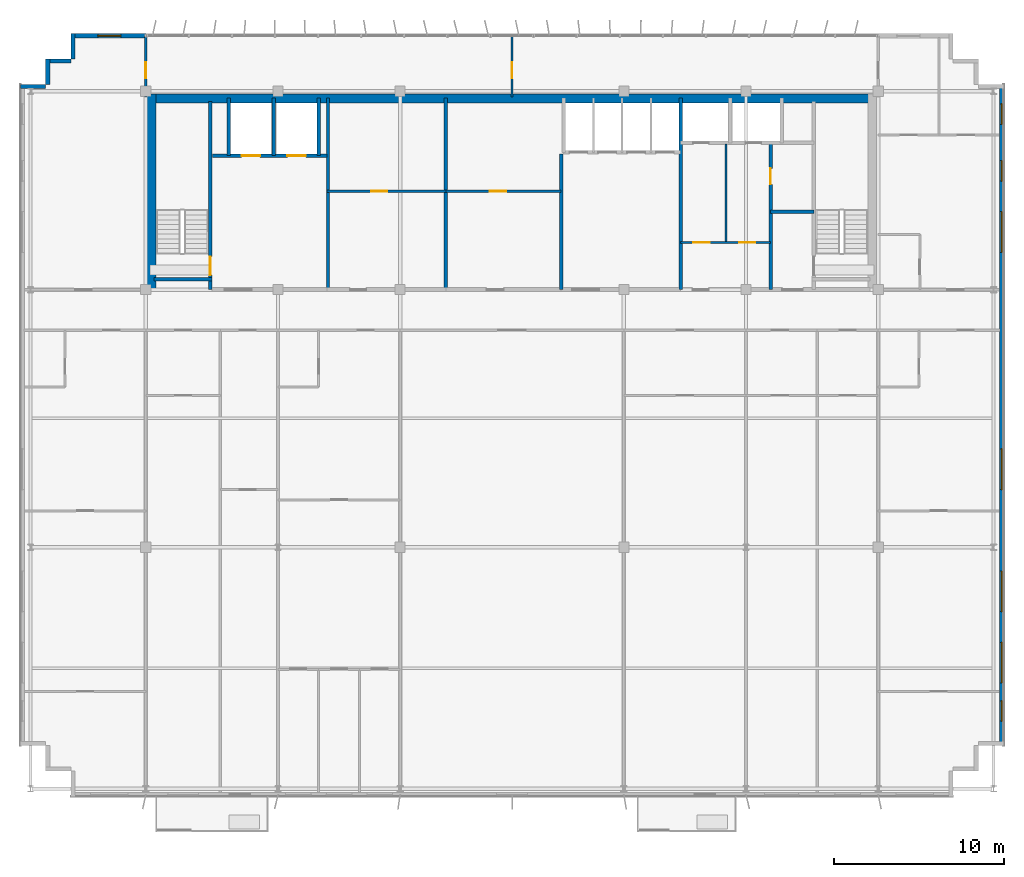
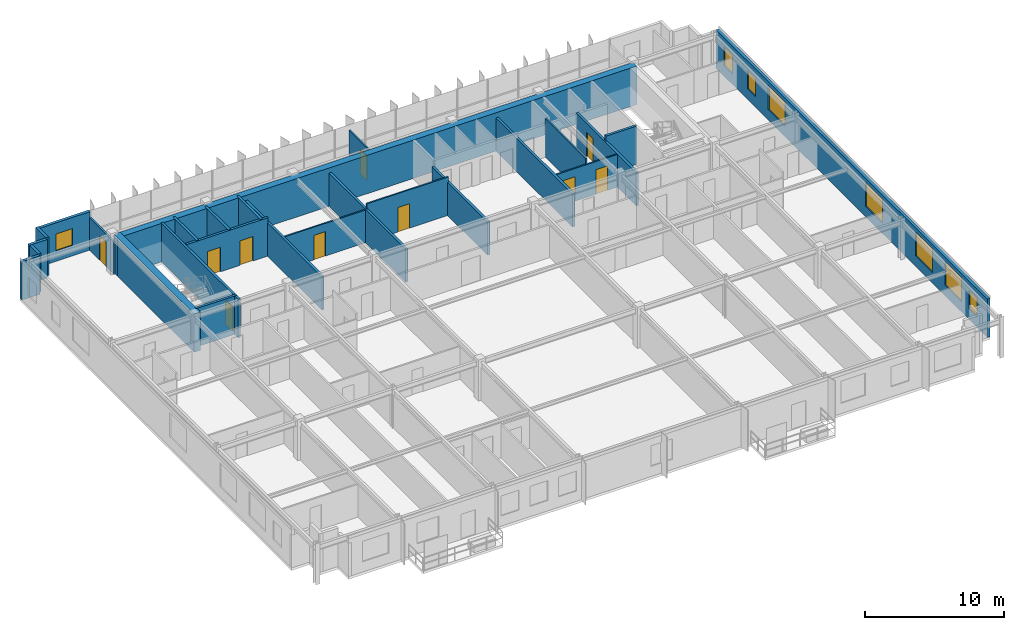
# One storey, part 19 of 22: 26 walls, 10 doors, 8 windows, 18 openings.
"""IFC4 building model written with IfcOpenShell, lengths in metres."""

from ifc_helpers import new_model, si_unit, direction, frame, frame_2d, origin, place, context, subcontext, project, spatial, rectangle, extrude, source, transform, mapped, material, layer, layer_set, type_object, element, fill, save


model = new_model("IFC4")

# Units and contexts
model_context = context("Model", 3, precision=1e-05, world=origin(), true_north=direction((0.0, 1.0)))
body_context = subcontext(model_context, "Body", "Model", "MODEL_VIEW")
ifc_project = project(units=[si_unit("LENGTHUNIT", "METRE"), si_unit("AREAUNIT", "SQUARE_METRE"), si_unit("VOLUMEUNIT", "CUBIC_METRE"), si_unit("PLANEANGLEUNIT", "RADIAN"), si_unit("MASSUNIT", "GRAM", prefix="KILO")], contexts=[model_context])

# Site, building, storey
site_placement = place(None, origin())
site = spatial("IfcSite", under=ifc_project, at=site_placement, CompositionType="ELEMENT")
building_placement = place(site_placement, origin())
building = spatial("IfcBuilding", under=site, at=building_placement, Name="Trelvane Seafront Commons", CompositionType="ELEMENT")
storey_placement = place(building_placement, frame((0.0, 0.0, 273.89990234375)))
storey = spatial("IfcBuildingStorey", under=building, at=storey_placement, Name="L71", CompositionType="ELEMENT", Elevation=273.89990234375)

# Wall, opening, window
ifc_material_1 = material(Name="Precast concrete C40/50", Category="concrete")
ifc_layer_1 = layer(ifc_material_1, 0.239990234375, Name="ARCH-WALL-EXT240")
ifc_layer_set_1 = layer_set([ifc_layer_1], Name="Precast concrete C40/50")
wall_type_1 = type_object("IfcWallType", Name="ARCH-WALL-EXT240", PredefinedType="SOLIDWALL", material=ifc_layer_set_1)
wall_1_placement = place(storey_placement, frame((11.300048828125, 48.3701171875, 0.0), z_axis=(0.0, 0.0, 1.0), x_axis=(1.0, 0.0, 0.0)))
wall_1 = element("IfcWall", 1, at=wall_1_placement, inside=storey, type_object=wall_type_1, Name="EW-L71-NW-1424", PredefinedType="SOLIDWALL", context=body_context, shape_type="SweptSolid", body=[
    extrude(rectangle(XDim=4.300048828125, YDim=0.239990234375, at=frame_2d((2.14990234375, 0.0))), origin(), (0.0, 0.0, 1.0), 3.3701171875),
])
opening_1_placement = place(wall_1_placement, frame((1.47509765625, 0.0, 0.89990234375)))
opening_1 = element("IfcOpeningElement", 2, at=opening_1_placement, cuts=wall_1, Name="Opening W09", PredefinedType="OPENING", context=body_context, shape_type="SweptSolid", body=[
    extrude(rectangle(XDim=1.35009765625, YDim=1.5, at=frame_2d((0.675048828125, 0.75))), frame((0.0, 0.1298828125, 0.0), z_axis=(0.0, -1.0, 0.0), x_axis=(1.0, 0.0, 0.0)), (0.0, 0.0, 1.0), 0.260009765625),
])
ifc_material_2 = material(Name="Low-E coastal double glazing", Category="glass")
window_type_1 = type_object("IfcWindowType", Name="ARCH-WIN-W09", PartitioningType="SINGLE_PANEL", PredefinedType="WINDOW", material=ifc_material_2)
shared_shape_1 = source(origin(), body_context, "Body", "SweptSolid", [
    extrude(rectangle(XDim=1.35009765625, YDim=1.5, at=frame_2d((0.675048828125, 0.75))), frame((0.0, 0.030029296875, 0.0), z_axis=(0.0, -1.0, 0.0), x_axis=(1.0, 0.0, 0.0)), (0.0, 0.0, 1.0), 0.06005859375),
])
window_1_placement = place(opening_1_placement, origin())
window_1 = element("IfcWindow", 3, at=window_1_placement, inside=storey, type_object=window_type_1, Name="WIN-L71-01697", OverallHeight=1.5, OverallWidth=1.35009765625, PartitioningType="SINGLE_PANEL", PredefinedType="WINDOW", context=body_context, shape_type="MappedRepresentation", body=[
    mapped(shared_shape_1, transform((0.0, 0.0, 0.0), x_axis=(1.0, 0.0, 0.0), y_axis=(0.0, 1.0, 0.0), z_axis=(0.0, 0.0, 1.0), scale=1.0)),
])
fill(opening_1, window_1)

# Walls
for number, where, z_axis, x_axis, name in (
    (4, (8.199951171875, 45.3798828125, 0.0), (0.0, 0.0, 1.0), (1.0, 0.0, 0.0), "EW-L71-01430"),
    (5, (9.820068359375, 45.5, 0.0), (0.0, 0.0, 1.0), (0.0, 1.0, 0.0), "EW-L71-01431"),
    (6, (9.699951171875, 46.8798828125, 0.0), (0.0, 0.0, 1.0), (1.0, 0.0, 0.0), "EW-L71-01432"),
    (7, (11.320068359375, 47.0, 0.0), (0.0, 0.0, 1.0), (0.0, 1.0, 0.0), "EW-L71-01433"),
):
    element("IfcWall", number, at=place(storey_placement, frame(where, z_axis=z_axis, x_axis=x_axis)), inside=storey, type_object=wall_type_1, Name=name, PredefinedType="SOLIDWALL", context=body_context, shape_type="SweptSolid", body=[
        extrude(rectangle(XDim=1.5, YDim=0.239990234375, at=frame_2d((0.75, 0.0))), origin(), (0.0, 0.0, 1.0), 3.3701171875),
    ])

# Wall, openings, windows
wall_2_placement = place(storey_placement, frame((66.080078125, 45.5, 0.0), z_axis=(0.0, 0.0, 1.0), x_axis=(0.0, -1.0, 0.0)))
wall_2 = element("IfcWall", 8, at=wall_2_placement, inside=storey, type_object=wall_type_1, Name="EW-L71-01438", PredefinedType="SOLIDWALL", context=body_context, shape_type="SweptSolid", body=[
    extrude(rectangle(XDim=39.0, YDim=0.239990234375, at=frame_2d((19.5, 0.0))), origin(), (0.0, 0.0, 1.0), 3.3701171875),
])
opening_2_placement = place(wall_2_placement, frame((36.35009765625, 0.0, 0.919921875)))
opening_2 = element("IfcOpeningElement", 9, at=opening_2_placement, cuts=wall_2, Name="Opening W05", PredefinedType="OPENING", context=body_context, shape_type="SweptSolid", body=[
    extrude(rectangle(XDim=1.199951171875, YDim=1.64990234375, at=frame_2d((0.60009765625, 0.824951171875))), frame((0.0, 0.1298828125, 0.0), z_axis=(0.0, -1.0, 0.0), x_axis=(1.0, 0.0, 0.0)), (0.0, 0.0, 1.0), 0.260009765625),
])
opening_3_placement = place(wall_2_placement, frame((32.89990234375, 0.0, 0.919921875)))
opening_3 = element("IfcOpeningElement", 10, at=opening_3_placement, cuts=wall_2, Name="Opening W08", PredefinedType="OPENING", context=body_context, shape_type="SweptSolid", body=[
    extrude(rectangle(XDim=2.39990234375, YDim=2.10009765625, at=frame_2d((1.199951171875, 1.050048828125))), frame((0.0, 0.1298828125, 0.0), z_axis=(0.0, -1.0, 0.0), x_axis=(1.0, 0.0, 0.0)), (0.0, 0.0, 1.0), 0.260009765625),
])
opening_4_placement = place(wall_2_placement, frame((28.699951171875, 0.0, 0.919921875)))
opening_4 = element("IfcOpeningElement", 11, at=opening_4_placement, cuts=wall_2, Name="Opening W08", PredefinedType="OPENING", context=body_context, shape_type="SweptSolid", body=[
    extrude(rectangle(XDim=2.39990234375, YDim=2.10009765625, at=frame_2d((1.199951171875, 1.050048828125))), frame((0.0, 0.1298828125, 0.0), z_axis=(0.0, -1.0, 0.0), x_axis=(1.0, 0.0, 0.0)), (0.0, 0.0, 1.0), 0.260009765625),
])
opening_5_placement = place(wall_2_placement, frame((21.5, 0.0, 0.919921875)))
opening_5 = element("IfcOpeningElement", 12, at=opening_5_placement, cuts=wall_2, Name="Opening W08", PredefinedType="OPENING", context=body_context, shape_type="SweptSolid", body=[
    extrude(rectangle(XDim=2.39990234375, YDim=2.10009765625, at=frame_2d((1.199951171875, 1.050048828125))), frame((0.0, 0.1298828125, 0.0), z_axis=(0.0, -1.0, 0.0), x_axis=(1.0, 0.0, 0.0)), (0.0, 0.0, 1.0), 0.260009765625),
])
opening_6_placement = place(wall_2_placement, frame((7.5, 0.0, 0.919921875)))
opening_6 = element("IfcOpeningElement", 13, at=opening_6_placement, cuts=wall_2, Name="Opening W08", PredefinedType="OPENING", context=body_context, shape_type="SweptSolid", body=[
    extrude(rectangle(XDim=2.39990234375, YDim=2.10009765625, at=frame_2d((1.199951171875, 1.050048828125))), frame((0.0, 0.1298828125, 0.0), z_axis=(0.0, -1.0, 0.0), x_axis=(1.0, 0.0, 0.0)), (0.0, 0.0, 1.0), 0.260009765625),
])
opening_7_placement = place(wall_2_placement, frame((4.5, 0.0, 0.919921875)))
opening_7 = element("IfcOpeningElement", 14, at=opening_7_placement, cuts=wall_2, Name="Opening W05", PredefinedType="OPENING", context=body_context, shape_type="SweptSolid", body=[
    extrude(rectangle(XDim=1.199951171875, YDim=1.64990234375, at=frame_2d((0.60009765625, 0.824951171875))), frame((0.0, 0.1298828125, 0.0), z_axis=(0.0, -1.0, 0.0), x_axis=(1.0, 0.0, 0.0)), (0.0, 0.0, 1.0), 0.260009765625),
])
opening_8_placement = place(wall_2_placement, frame((1.14990234375, 0.0, 0.919921875)))
opening_8 = element("IfcOpeningElement", 15, at=opening_8_placement, cuts=wall_2, Name="Opening W05", PredefinedType="OPENING", context=body_context, shape_type="SweptSolid", body=[
    extrude(rectangle(XDim=1.199951171875, YDim=1.64990234375, at=frame_2d((0.60009765625, 0.824951171875))), frame((0.0, 0.1298828125, 0.0), z_axis=(0.0, -1.0, 0.0), x_axis=(1.0, 0.0, 0.0)), (0.0, 0.0, 1.0), 0.260009765625),
])
window_type_2 = type_object("IfcWindowType", Name="ARCH-WIN-W08", PartitioningType="SINGLE_PANEL", PredefinedType="WINDOW", material=ifc_material_2)
shared_shape_2 = source(origin(), body_context, "Body", "SweptSolid", [
    extrude(rectangle(XDim=2.39990234375, YDim=2.10009765625, at=frame_2d((1.199951171875, 1.050048828125))), frame((0.0, 0.030029296875, 0.0), z_axis=(0.0, -1.0, 0.0), x_axis=(1.0, 0.0, 0.0)), (0.0, 0.0, 1.0), 0.06005859375),
])
window_2_placement = place(opening_3_placement, origin())
window_2 = element("IfcWindow", 16, at=window_2_placement, inside=storey, type_object=window_type_2, Name="WIN-L71-EW-01707", OverallHeight=2.10009765625, OverallWidth=2.39990234375, PartitioningType="SINGLE_PANEL", PredefinedType="WINDOW", context=body_context, shape_type="MappedRepresentation", body=[
    mapped(shared_shape_2, transform((0.0, 0.0, 0.0), x_axis=(1.0, 0.0, 0.0), y_axis=(0.0, 1.0, 0.0), z_axis=(0.0, 0.0, 1.0), scale=1.0)),
])
fill(opening_3, window_2)
window_3_placement = place(opening_4_placement, origin())
window_3 = element("IfcWindow", 17, at=window_3_placement, inside=storey, type_object=window_type_2, Name="WIN-L71-EW-01708", OverallHeight=2.10009765625, OverallWidth=2.39990234375, PartitioningType="SINGLE_PANEL", PredefinedType="WINDOW", context=body_context, shape_type="MappedRepresentation", body=[
    mapped(shared_shape_2, transform((0.0, 0.0, 0.0), x_axis=(1.0, 0.0, 0.0), y_axis=(0.0, 1.0, 0.0), z_axis=(0.0, 0.0, 1.0), scale=1.0)),
])
fill(opening_4, window_3)
window_4_placement = place(opening_5_placement, origin())
window_4 = element("IfcWindow", 18, at=window_4_placement, inside=storey, type_object=window_type_2, Name="WIN-L71-EW-01709", OverallHeight=2.10009765625, OverallWidth=2.39990234375, PartitioningType="SINGLE_PANEL", PredefinedType="WINDOW", context=body_context, shape_type="MappedRepresentation", body=[
    mapped(shared_shape_2, transform((0.0, 0.0, 0.0), x_axis=(1.0, 0.0, 0.0), y_axis=(0.0, 1.0, 0.0), z_axis=(0.0, 0.0, 1.0), scale=1.0)),
])
fill(opening_5, window_4)
window_5_placement = place(opening_6_placement, origin())
window_5 = element("IfcWindow", 19, at=window_5_placement, inside=storey, type_object=window_type_2, Name="WIN-L71-EW-01710", OverallHeight=2.10009765625, OverallWidth=2.39990234375, PartitioningType="SINGLE_PANEL", PredefinedType="WINDOW", context=body_context, shape_type="MappedRepresentation", body=[
    mapped(shared_shape_2, transform((0.0, 0.0, 0.0), x_axis=(1.0, 0.0, 0.0), y_axis=(0.0, 1.0, 0.0), z_axis=(0.0, 0.0, 1.0), scale=1.0)),
])
fill(opening_6, window_5)
window_type_3 = type_object("IfcWindowType", Name="ARCH-WIN-W05", PartitioningType="SINGLE_PANEL", PredefinedType="WINDOW", material=ifc_material_2)
shared_shape_3 = source(origin(), body_context, "Body", "SweptSolid", [
    extrude(rectangle(XDim=1.199951171875, YDim=1.64990234375, at=frame_2d((0.60009765625, 0.824951171875))), frame((0.0, 0.030029296875, 0.0), z_axis=(0.0, -1.0, 0.0), x_axis=(1.0, 0.0, 0.0)), (0.0, 0.0, 1.0), 0.06005859375),
])
window_6_placement = place(opening_2_placement, origin())
window_6 = element("IfcWindow", 20, at=window_6_placement, inside=storey, type_object=window_type_3, Name="WIN-L71-EW-01706", OverallHeight=1.64990234375, OverallWidth=1.199951171875, PartitioningType="SINGLE_PANEL", PredefinedType="WINDOW", context=body_context, shape_type="MappedRepresentation", body=[
    mapped(shared_shape_3, transform((0.0, 0.0, 0.0), x_axis=(1.0, 0.0, 0.0), y_axis=(0.0, 1.0, 0.0), z_axis=(0.0, 0.0, 1.0), scale=1.0)),
])
fill(opening_2, window_6)
window_7_placement = place(opening_7_placement, origin())
window_7 = element("IfcWindow", 21, at=window_7_placement, inside=storey, type_object=window_type_3, Name="WIN-L71-EW-01711", OverallHeight=1.64990234375, OverallWidth=1.199951171875, PartitioningType="SINGLE_PANEL", PredefinedType="WINDOW", context=body_context, shape_type="MappedRepresentation", body=[
    mapped(shared_shape_3, transform((0.0, 0.0, 0.0), x_axis=(1.0, 0.0, 0.0), y_axis=(0.0, 1.0, 0.0), z_axis=(0.0, 0.0, 1.0), scale=1.0)),
])
fill(opening_7, window_7)
window_8_placement = place(opening_8_placement, origin())
window_8 = element("IfcWindow", 22, at=window_8_placement, inside=storey, type_object=window_type_3, Name="WIN-L71-EW-01712", OverallHeight=1.64990234375, OverallWidth=1.199951171875, PartitioningType="SINGLE_PANEL", PredefinedType="WINDOW", context=body_context, shape_type="MappedRepresentation", body=[
    mapped(shared_shape_3, transform((0.0, 0.0, 0.0), x_axis=(1.0, 0.0, 0.0), y_axis=(0.0, 1.0, 0.0), z_axis=(0.0, 0.0, 1.0), scale=1.0)),
])
fill(opening_8, window_8)

# Wall, opening, door
ifc_material_3 = material(Name="Concrete C40/50", Category="concrete")
ifc_layer_2 = layer(ifc_material_3, 0.199951171875, Name="ARCH-WALL-FIRE200")
ifc_layer_set_2 = layer_set([ifc_layer_2], Name="Concrete C40/50")
wall_type_2 = type_object("IfcWallType", Name="ARCH-WALL-FIRE200", PredefinedType="PARTITIONING", material=ifc_layer_set_2)
wall_3_placement = place(storey_placement, frame((52.449951171875, 33.39990234375, 0.0), z_axis=(0.0, 0.0, 1.0), x_axis=(0.0, 1.0, 0.0)))
wall_3 = element("IfcWall", 23, at=wall_3_placement, inside=storey, type_object=wall_type_2, Name="W-L71-ST2V-W-030", PredefinedType="PARTITIONING", context=body_context, shape_type="SweptSolid", body=[
    extrude(rectangle(XDim=8.650146484375, YDim=0.199951171875, at=frame_2d((4.3251953125, 0.0))), origin(), (0.0, 0.0, 1.0), 2.920166015625),
])
opening_9_placement = place(wall_3_placement, frame((6.199951171875, 0.0, 0.0)))
opening_9 = element("IfcOpeningElement", 24, at=opening_9_placement, cuts=wall_3, Name="Opening FD-L71-17", PredefinedType="OPENING", context=body_context, shape_type="SweptSolid", body=[
    extrude(rectangle(XDim=0.949951171875, YDim=2.14990234375, at=frame_2d((0.47509765625, 1.074951171875))), frame((0.0, 0.10986328125, 0.0), z_axis=(0.0, -1.0, 0.0), x_axis=(1.0, 0.0, 0.0)), (0.0, 0.0, 1.0), 0.219970703125),
])
ifc_material_4 = material(Name="Powder-coated aluminium frame", Category="aluminium")
door_type_1 = type_object("IfcDoorType", Name="ARCH-DR-FD60-950", OperationType="NOTDEFINED", PredefinedType="DOOR", material=ifc_material_4)
shared_shape_4 = source(origin(), body_context, "Body", "SweptSolid", [
    extrude(rectangle(XDim=0.949951171875, YDim=2.14990234375, at=frame_2d((0.47509765625, 1.074951171875))), frame((0.0, 0.02490234375, 0.0), z_axis=(0.0, -1.0, 0.0), x_axis=(1.0, 0.0, 0.0)), (0.0, 0.0, 1.0), 0.050048828125),
])
door_1_placement = place(opening_9_placement, origin())
door_1 = element("IfcDoor", 25, at=door_1_placement, inside=storey, type_object=door_type_1, Name="L71 Cleaner Store Door", OperationType="SINGLE_SWING_LEFT", OverallHeight=2.14990234375, OverallWidth=0.949951171875, PredefinedType="DOOR", context=body_context, shape_type="MappedRepresentation", body=[
    mapped(shared_shape_4, transform((0.0, 0.0, 0.0), x_axis=(1.0, 0.0, 0.0), y_axis=(0.0, 1.0, 0.0), z_axis=(0.0, 0.0, 1.0), scale=1.0)),
])
fill(opening_9, door_1)

# Wall
wall_4_placement = place(storey_placement, frame((52.449951171875, 38.0, 0.0), z_axis=(0.0, 0.0, 1.0), x_axis=(1.0, 0.0, 0.0)))
element("IfcWall", 26, at=wall_4_placement, inside=storey, type_object=wall_type_2, Name="W-L71-ST2V-N-031", PredefinedType="PARTITIONING", context=body_context, shape_type="SweptSolid", body=[
    extrude(rectangle(XDim=2.550048828125, YDim=0.199951171875, at=frame_2d((1.27490234375, 0.0))), origin(), (0.0, 0.0, 1.0), 3.3701171875),
])

# Wall, opening, door
ifc_material_5 = material(Name="Gypsum Drywall Acoustic Partition")
ifc_layer_3 = layer(ifc_material_5, 0.1201171875, Name="ARCH-WALL-PART120")
ifc_layer_set_3 = layer_set([ifc_layer_3], Name="Gypsum Drywall Acoustic Partition")
wall_type_3 = type_object("IfcWallType", Name="ARCH-WALL-PART120", PredefinedType="PARTITIONING", material=ifc_layer_set_3)
wall_5_placement = place(storey_placement, frame((26.300048828125, 39.199951171875, 0.0), z_axis=(0.0, 0.0, 1.0), x_axis=(1.0, 0.0, 0.0)))
wall_5 = element("IfcWall", 27, at=wall_5_placement, inside=storey, type_object=wall_type_3, Name="W-L71-FREED-PL-MID-014", PredefinedType="PARTITIONING", context=body_context, shape_type="SweptSolid", body=[
    extrude(rectangle(XDim=7.0, YDim=0.1201171875, at=frame_2d((3.5, 0.0))), origin(), (0.0, 0.0, 1.0), 2.8701171875),
])
opening_10_placement = place(wall_5_placement, frame((2.60009765625, 0.0, 0.0)))
opening_10 = element("IfcOpeningElement", 28, at=opening_10_placement, cuts=wall_5, Name="Opening D-L71-06", PredefinedType="OPENING", context=body_context, shape_type="SweptSolid", body=[
    extrude(rectangle(XDim=0.949951171875, YDim=2.14990234375, at=frame_2d((0.47509765625, 1.074951171875))), frame((0.0, 0.070068359375, 0.0), z_axis=(0.0, -1.0, 0.0), x_axis=(1.0, 0.0, 0.0)), (0.0, 0.0, 1.0), 0.14013671875),
])
ifc_material_6 = material(Name="Acoustic timber door leaf", Category="wood")
door_type_2 = type_object("IfcDoorType", Name="ARCH-DR-INT950", OperationType="NOTDEFINED", PredefinedType="DOOR", material=ifc_material_6)
door_2_placement = place(opening_10_placement, origin())
door_2 = element("IfcDoor", 29, at=door_2_placement, inside=storey, type_object=door_type_2, Name="L71 Housekeeping Store Door", OperationType="SINGLE_SWING_RIGHT", OverallHeight=2.14990234375, OverallWidth=0.949951171875, PredefinedType="DOOR", context=body_context, shape_type="MappedRepresentation", body=[
    mapped(shared_shape_4, transform((0.0, 0.0, 0.0), x_axis=(1.0, 0.0, 0.0), y_axis=(0.0, 1.0, 0.0), z_axis=(0.0, 0.0, 1.0), scale=1.0)),
])
fill(opening_10, door_2)

wall_6_placement = place(storey_placement, frame((33.300048828125, 39.199951171875, 0.0), z_axis=(0.0, 0.0, 1.0), x_axis=(1.0, 0.0, 0.0)))
wall_6 = element("IfcWall", 30, at=wall_6_placement, inside=storey, type_object=wall_type_3, Name="W-L71-FREED-PM-MID-016", PredefinedType="PARTITIONING", context=body_context, shape_type="SweptSolid", body=[
    extrude(rectangle(XDim=6.800048828125, YDim=0.1201171875, at=frame_2d((3.39990234375, 0.0))), origin(), (0.0, 0.0, 1.0), 3.3701171875),
])
opening_11_placement = place(wall_6_placement, frame((2.60009765625, 0.0, 0.0)))
opening_11 = element("IfcOpeningElement", 31, at=opening_11_placement, cuts=wall_6, Name="Opening D-L71-07", PredefinedType="OPENING", context=body_context, shape_type="SweptSolid", body=[
    extrude(rectangle(XDim=0.949951171875, YDim=2.14990234375, at=frame_2d((0.47509765625, 1.074951171875))), frame((0.0, 0.070068359375, 0.0), z_axis=(0.0, -1.0, 0.0), x_axis=(1.0, 0.0, 0.0)), (0.0, 0.0, 1.0), 0.14013671875),
])
door_3_placement = place(opening_11_placement, origin())
door_3 = element("IfcDoor", 32, at=door_3_placement, inside=storey, type_object=door_type_2, Name="L71 IT Comms Room Door", OperationType="SINGLE_SWING_LEFT", OverallHeight=2.14990234375, OverallWidth=0.949951171875, PredefinedType="DOOR", context=body_context, shape_type="MappedRepresentation", body=[
    mapped(shared_shape_4, transform((0.0, 0.0, 0.0), x_axis=(1.0, 0.0, 0.0), y_axis=(0.0, 1.0, 0.0), z_axis=(0.0, 0.0, 1.0), scale=1.0)),
])
fill(opening_11, door_3)

# Wall, openings, doors
wall_7_placement = place(storey_placement, frame((47.14990234375, 36.179931640625, 0.0), z_axis=(0.0, 0.0, 1.0), x_axis=(1.0, 0.0, 0.0)))
wall_7 = element("IfcWall", 33, at=wall_7_placement, inside=storey, type_object=wall_type_3, Name="W-L71-CYC1-H-032", PredefinedType="PARTITIONING", context=body_context, shape_type="SweptSolid", body=[
    extrude(rectangle(XDim=5.300048828125, YDim=0.1201171875, at=frame_2d((2.64990234375, 0.0))), origin(), (0.0, 0.0, 1.0), 2.8701171875),
])
opening_12_placement = place(wall_7_placement, frame((0.75, 0.0, 0.0)))
opening_12 = element("IfcOpeningElement", 34, at=opening_12_placement, cuts=wall_7, Name="Opening D-L71-18", PredefinedType="OPENING", context=body_context, shape_type="SweptSolid", body=[
    extrude(rectangle(XDim=0.949951171875, YDim=2.14990234375, at=frame_2d((0.47509765625, 1.074951171875))), frame((0.0, 0.070068359375, 0.0), z_axis=(0.0, -1.0, 0.0), x_axis=(1.0, 0.0, 0.0)), (0.0, 0.0, 1.0), 0.14013671875),
])
opening_13_placement = place(wall_7_placement, frame((3.449951171875, 0.0, 0.0)))
opening_13 = element("IfcOpeningElement", 35, at=opening_13_placement, cuts=wall_7, Name="Opening D-L71-19", PredefinedType="OPENING", context=body_context, shape_type="SweptSolid", body=[
    extrude(rectangle(XDim=0.949951171875, YDim=2.14990234375, at=frame_2d((0.47509765625, 1.074951171875))), frame((0.0, 0.070068359375, 0.0), z_axis=(0.0, -1.0, 0.0), x_axis=(1.0, 0.0, 0.0)), (0.0, 0.0, 1.0), 0.14013671875),
])
door_4_placement = place(opening_12_placement, origin())
door_4 = element("IfcDoor", 36, at=door_4_placement, inside=storey, type_object=door_type_2, Name="L71 Accessible WC Door", OperationType="SINGLE_SWING_RIGHT", OverallHeight=2.14990234375, OverallWidth=0.949951171875, PredefinedType="DOOR", context=body_context, shape_type="MappedRepresentation", body=[
    mapped(shared_shape_4, transform((0.0, 0.0, 0.0), x_axis=(1.0, 0.0, 0.0), y_axis=(0.0, 1.0, 0.0), z_axis=(0.0, 0.0, 1.0), scale=1.0)),
])
fill(opening_12, door_4)
door_5_placement = place(opening_13_placement, origin())
door_5 = element("IfcDoor", 37, at=door_5_placement, inside=storey, type_object=door_type_2, Name="L71 BMS Room Door", OperationType="SINGLE_SWING_LEFT", OverallHeight=2.14990234375, OverallWidth=0.949951171875, PredefinedType="DOOR", context=body_context, shape_type="MappedRepresentation", body=[
    mapped(shared_shape_4, transform((0.0, 0.0, 0.0), x_axis=(1.0, 0.0, 0.0), y_axis=(0.0, 1.0, 0.0), z_axis=(0.0, 0.0, 1.0), scale=1.0)),
])
fill(opening_13, door_5)

# Wall
wall_8_placement = place(storey_placement, frame((49.820068359375, 36.179931640625, 0.0), z_axis=(0.0, 0.0, 1.0), x_axis=(0.0, 1.0, 0.0)))
element("IfcWall", 38, at=wall_8_placement, inside=storey, type_object=wall_type_3, Name="W-L71-CYC1-V-033", PredefinedType="PARTITIONING", context=body_context, shape_type="SweptSolid", body=[
    extrude(rectangle(XDim=5.820068359375, YDim=0.1201171875, at=frame_2d((2.91015625, 0.0))), origin(), (0.0, 0.0, 1.0), 3.3701171875),
])

# Wall, opening, door
wall_9_placement = place(storey_placement, frame((37.199951171875, 44.75, 0.0), z_axis=(0.0, 0.0, 1.0), x_axis=(0.0, 1.0, 0.0)))
wall_9 = element("IfcWall", 39, at=wall_9_placement, inside=storey, type_object=wall_type_3, Name="W-L71-N-MID-DV-042", PredefinedType="PARTITIONING", context=body_context, shape_type="SweptSolid", body=[
    extrude(rectangle(XDim=3.610107421875, YDim=0.1201171875, at=frame_2d((1.80517578125, 0.0))), origin(), (0.0, 0.0, 1.0), 2.920166015625),
])
opening_14_placement = place(wall_9_placement, frame((1.10009765625, 0.0, 0.0)))
opening_14 = element("IfcOpeningElement", 40, at=opening_14_placement, cuts=wall_9, Name="Opening D-L71-27", PredefinedType="OPENING", context=body_context, shape_type="SweptSolid", body=[
    extrude(rectangle(XDim=0.949951171875, YDim=2.14990234375, at=frame_2d((0.47509765625, 1.074951171875))), frame((0.0, 0.070068359375, 0.0), z_axis=(0.0, -1.0, 0.0), x_axis=(1.0, 0.0, 0.0)), (0.0, 0.0, 1.0), 0.14013671875),
])
door_6_placement = place(opening_14_placement, origin())
door_6 = element("IfcDoor", 41, at=door_6_placement, inside=storey, type_object=door_type_2, Name="L71 Door 27", OperationType="SINGLE_SWING_LEFT", OverallHeight=2.14990234375, OverallWidth=0.949951171875, PredefinedType="DOOR", context=body_context, shape_type="MappedRepresentation", body=[
    mapped(shared_shape_4, transform((0.0, 0.0, 0.0), x_axis=(1.0, 0.0, 0.0), y_axis=(0.0, 1.0, 0.0), z_axis=(0.0, 0.0, 1.0), scale=1.0)),
])
fill(opening_14, door_6)

ifc_layer_4 = layer(ifc_material_5, 0.14990234375, Name="ARCH-WALL-PART150")
ifc_layer_set_4 = layer_set([ifc_layer_4], Name="Gypsum Drywall Acoustic Partition")
wall_type_4 = type_object("IfcWallType", Name="ARCH-WALL-PART150", PredefinedType="PARTITIONING", material=ifc_layer_set_4)
wall_10_placement = place(storey_placement, frame((15.60009765625, 44.75, 0.0), z_axis=(0.0, 0.0, 1.0), x_axis=(0.0, 1.0, 0.0)))
wall_10 = element("IfcWall", 42, at=wall_10_placement, inside=storey, type_object=wall_type_4, Name="W-L71-N-LINK-W-043", PredefinedType="PARTITIONING", context=body_context, shape_type="SweptSolid", body=[
    extrude(rectangle(XDim=3.610107421875, YDim=0.14990234375, at=frame_2d((1.80517578125, 0.0))), origin(), (0.0, 0.0, 1.0), 2.8701171875),
])
opening_15_placement = place(wall_10_placement, frame((1.10009765625, 0.0, 0.0)))
opening_15 = element("IfcOpeningElement", 43, at=opening_15_placement, cuts=wall_10, Name="Opening FD-L71-28", PredefinedType="OPENING", context=body_context, shape_type="SweptSolid", body=[
    extrude(rectangle(XDim=0.949951171875, YDim=2.14990234375, at=frame_2d((0.47509765625, 1.074951171875))), frame((0.0, 0.0849609375, 0.0), z_axis=(0.0, -1.0, 0.0), x_axis=(1.0, 0.0, 0.0)), (0.0, 0.0, 1.0), 0.169921875),
])
door_7_placement = place(opening_15_placement, origin())
door_7 = element("IfcDoor", 44, at=door_7_placement, inside=storey, type_object=door_type_1, Name="L71 Door 28", OperationType="SINGLE_SWING_RIGHT", OverallHeight=2.14990234375, OverallWidth=0.949951171875, PredefinedType="DOOR", context=body_context, shape_type="MappedRepresentation", body=[
    mapped(shared_shape_4, transform((0.0, 0.0, 0.0), x_axis=(1.0, 0.0, 0.0), y_axis=(0.0, 1.0, 0.0), z_axis=(0.0, 0.0, 1.0), scale=1.0)),
])
fill(opening_15, door_7)

# Wall, openings, doors
ifc_layer_5 = layer(ifc_material_3, 0.199951171875, Name="ARCH-WALL-SHAFT200")
ifc_layer_set_5 = layer_set([ifc_layer_5], Name="Concrete C40/50")
wall_type_5 = type_object("IfcWallType", Name="ARCH-WALL-SHAFT200", PredefinedType="SOLIDWALL", material=ifc_layer_set_5)
wall_11_placement = place(storey_placement, frame((19.550048828125, 41.300048828125, 0.0), z_axis=(0.0, 0.0, 1.0), x_axis=(1.0, 0.0, 0.0)))
wall_11 = element("IfcWall", 45, at=wall_11_placement, inside=storey, type_object=wall_type_5, Name="W-L71-FFL-FRONT-008", PredefinedType="SOLIDWALL", context=body_context, shape_type="SweptSolid", body=[
    extrude(rectangle(XDim=6.75, YDim=0.199951171875, at=frame_2d((3.375, 0.0))), origin(), (0.0, 0.0, 1.0), 3.3701171875),
])
opening_16_placement = place(wall_11_placement, frame((1.699951171875, 0.0, 0.0)))
opening_16 = element("IfcOpeningElement", 46, at=opening_16_placement, cuts=wall_11, Name="Opening LD-FF1-L71", PredefinedType="OPENING", context=body_context, shape_type="SweptSolid", body=[
    extrude(rectangle(XDim=1.10009765625, YDim=2.14990234375, at=frame_2d((0.550048828125, 1.074951171875))), frame((0.0, 0.10986328125, 0.0), z_axis=(0.0, -1.0, 0.0), x_axis=(1.0, 0.0, 0.0)), (0.0, 0.0, 1.0), 0.219970703125),
])
opening_17_placement = place(wall_11_placement, frame((4.39990234375, 0.0, 0.0)))
opening_17 = element("IfcOpeningElement", 47, at=opening_17_placement, cuts=wall_11, Name="Opening LD-FF2-L71", PredefinedType="OPENING", context=body_context, shape_type="SweptSolid", body=[
    extrude(rectangle(XDim=1.10009765625, YDim=2.14990234375, at=frame_2d((0.550048828125, 1.074951171875))), frame((0.0, 0.10986328125, 0.0), z_axis=(0.0, -1.0, 0.0), x_axis=(1.0, 0.0, 0.0)), (0.0, 0.0, 1.0), 0.219970703125),
])
ifc_material_7 = material(Name="Stainless steel balustrade", Category="steel")
door_type_3 = type_object("IfcDoorType", Name="ARCH-DR-LD1100", OperationType="DOUBLE_DOOR_SLIDING", PredefinedType="DOOR", material=ifc_material_7)
shared_shape_5 = source(origin(), body_context, "Body", "SweptSolid", [
    extrude(rectangle(XDim=1.10009765625, YDim=2.14990234375, at=frame_2d((0.550048828125, 1.074951171875))), frame((0.0, 0.02490234375, 0.0), z_axis=(0.0, -1.0, 0.0), x_axis=(1.0, 0.0, 0.0)), (0.0, 0.0, 1.0), 0.050048828125),
])
door_8_placement = place(opening_16_placement, origin())
door_8 = element("IfcDoor", 48, at=door_8_placement, inside=storey, type_object=door_type_3, Name="L71 Firefighting Lift FFL-1 Landing Door", OperationType="DOUBLE_DOOR_SLIDING", OverallHeight=2.14990234375, OverallWidth=1.10009765625, PredefinedType="DOOR", context=body_context, shape_type="MappedRepresentation", body=[
    mapped(shared_shape_5, transform((0.0, 0.0, 0.0), x_axis=(1.0, 0.0, 0.0), y_axis=(0.0, 1.0, 0.0), z_axis=(0.0, 0.0, 1.0), scale=1.0)),
])
fill(opening_16, door_8)
door_9_placement = place(opening_17_placement, origin())
door_9 = element("IfcDoor", 49, at=door_9_placement, inside=storey, type_object=door_type_3, Name="L71 Firefighting Lift FFL-2 Landing Door", OperationType="DOUBLE_DOOR_SLIDING", OverallHeight=2.14990234375, OverallWidth=1.10009765625, PredefinedType="DOOR", context=body_context, shape_type="MappedRepresentation", body=[
    mapped(shared_shape_5, transform((0.0, 0.0, 0.0), x_axis=(1.0, 0.0, 0.0), y_axis=(0.0, 1.0, 0.0), z_axis=(0.0, 0.0, 1.0), scale=1.0)),
])
fill(opening_17, door_9)

# Walls
for number, where, z_axis, x_axis, name in (
    (50, (20.5, 41.300048828125, 0.0), (0.0, 0.0, 1.0), (0.0, 1.0, 0.0), "W-L71-FFL-SH-W-009"),
    (51, (23.14990234375, 41.300048828125, 0.0), (0.0, 0.0, 1.0), (0.0, 1.0, 0.0), "W-L71-FFL-DIV-010"),
    (52, (25.800048828125, 41.300048828125, 0.0), (0.0, 0.0, 1.0), (0.0, 1.0, 0.0), "W-L71-FFL-SH-E-011"),
):
    element("IfcWall", number, at=place(storey_placement, frame(where, z_axis=z_axis, x_axis=x_axis)), inside=storey, type_object=wall_type_5, Name=name, PredefinedType="SOLIDWALL", context=body_context, shape_type="SweptSolid", body=[
        extrude(rectangle(XDim=3.39990234375, YDim=0.199951171875, at=frame_2d((1.699951171875, 0.0))), origin(), (0.0, 0.0, 1.0), 3.3701171875),
    ])
for number, where, z_axis, x_axis, name in (
    (53, (26.35009765625, 33.39990234375, 0.0), (0.0, 0.0, 1.0), (0.0, 1.0, 0.0), "W-L71-FFL-EAST-012"),
    (54, (33.300048828125, 33.39990234375, 0.0), (0.0, 0.0, 1.0), (0.0, 1.0, 0.0), "W-L71-FREED-PL-E-015"),
):
    element("IfcWall", number, at=place(storey_placement, frame(where, z_axis=z_axis, x_axis=x_axis)), inside=storey, type_object=wall_type_5, Name=name, PredefinedType="SOLIDWALL", context=body_context, shape_type="SweptSolid", body=[
        extrude(rectangle(XDim=11.300048828125, YDim=0.199951171875, at=frame_2d((5.64990234375, 0.0))), origin(), (0.0, 0.0, 1.0), 2.920166015625),
    ])
wall_12_placement = place(storey_placement, frame((40.10009765625, 33.39990234375, 0.0), z_axis=(0.0, 0.0, 1.0), x_axis=(0.0, 1.0, 0.0)))
element("IfcWall", 55, at=wall_12_placement, inside=storey, type_object=wall_type_5, Name="W-L71-FREED-PM-E-017", PredefinedType="SOLIDWALL", context=body_context, shape_type="SweptSolid", body=[
    extrude(rectangle(XDim=8.0, YDim=0.199951171875, at=frame_2d((4.0, 0.0))), origin(), (0.0, 0.0, 1.0), 2.920166015625),
])
wall_13_placement = place(storey_placement, frame((47.14990234375, 33.39990234375, 0.0), z_axis=(0.0, 0.0, 1.0), x_axis=(0.0, 1.0, 0.0)))
element("IfcWall", 56, at=wall_13_placement, inside=storey, type_object=wall_type_5, Name="W-L71-PH-EAST-023", PredefinedType="SOLIDWALL", context=body_context, shape_type="SweptSolid", body=[
    extrude(rectangle(XDim=11.300048828125, YDim=0.199951171875, at=frame_2d((5.64990234375, 0.0))), origin(), (0.0, 0.0, 1.0), 2.920166015625),
])
ifc_material_8 = material(Name="Concrete C50/60", Category="concrete")
ifc_layer_6 = layer(ifc_material_8, 0.550048828125, Name="STR-WALL-CORE550")
ifc_layer_set_6 = layer_set([ifc_layer_6], Name="Concrete C50/60")
wall_type_6 = type_object("IfcWallType", Name="STR-WALL-CORE550", PredefinedType="SHEAR", material=ifc_layer_set_6)
wall_14_placement = place(storey_placement, frame((15.64990234375, 44.675048828125, 0.0), z_axis=(0.0, 0.0, 1.0), x_axis=(1.0, 0.0, 0.0)))
element("IfcWall", 57, at=wall_14_placement, inside=storey, type_object=wall_type_6, Name="W-L71-CN-ALL-001", PredefinedType="SHEAR", context=body_context, shape_type="SweptSolid", body=[
    extrude(rectangle(XDim=43.10009765625, YDim=0.550048828125, at=frame_2d((21.550048828125, 0.0))), origin(), (0.0, 0.0, 1.0), 3.3701171875),
])
wall_15_placement = place(storey_placement, frame((15.925048828125, 33.39990234375, 0.0), z_axis=(0.0, 0.0, 1.0), x_axis=(0.0, 1.0, 0.0)))
element("IfcWall", 58, at=wall_15_placement, inside=storey, type_object=wall_type_6, Name="W-L71-CW-END-002", PredefinedType="SHEAR", context=body_context, shape_type="SweptSolid", body=[
    extrude(rectangle(XDim=11.550048828125, YDim=0.550048828125, at=frame_2d((5.77490234375, 0.0))), origin(), (0.0, 0.0, 1.0), 3.3701171875),
])
ifc_layer_7 = layer(ifc_material_8, 0.199951171875, Name="STR-WALL-STAIR200")
ifc_layer_set_7 = layer_set([ifc_layer_7], Name="Concrete C50/60")
wall_type_7 = type_object("IfcWallType", Name="STR-WALL-STAIR200", PredefinedType="SHEAR", material=ifc_layer_set_7)
wall_16_placement = place(storey_placement, frame((16.10009765625, 34.0, 0.0), z_axis=(0.0, 0.0, 1.0), x_axis=(1.0, 0.0, 0.0)))
element("IfcWall", 59, at=wall_16_placement, inside=storey, type_object=wall_type_7, Name="W-L71-ST1-S-004", PredefinedType="SHEAR", context=body_context, shape_type="SweptSolid", body=[
    extrude(rectangle(XDim=3.39990234375, YDim=0.199951171875, at=frame_2d((1.699951171875, 0.0))), origin(), (0.0, 0.0, 1.0), 3.3701171875),
])

# Wall, opening, door
wall_17_placement = place(storey_placement, frame((19.39990234375, 33.39990234375, 0.0), z_axis=(0.0, 0.0, 1.0), x_axis=(0.0, 1.0, 0.0)))
wall_17 = element("IfcWall", 60, at=wall_17_placement, inside=storey, type_object=wall_type_7, Name="W-L71-ST1-E-005", PredefinedType="SHEAR", context=body_context, shape_type="SweptSolid", body=[
    extrude(rectangle(XDim=11.10009765625, YDim=0.199951171875, at=frame_2d((5.550048828125, 0.0))), origin(), (0.0, 0.0, 1.0), 3.3701171875),
])
opening_18_placement = place(wall_17_placement, frame((0.85009765625, 0.0, 0.0)))
opening_18 = element("IfcOpeningElement", 61, at=opening_18_placement, cuts=wall_17, Name="Opening ST-D1-L71", PredefinedType="OPENING", context=body_context, shape_type="SweptSolid", body=[
    extrude(rectangle(XDim=1.10009765625, YDim=2.14990234375, at=frame_2d((0.550048828125, 1.074951171875))), frame((0.0, 0.10986328125, 0.0), z_axis=(0.0, -1.0, 0.0), x_axis=(1.0, 0.0, 0.0)), (0.0, 0.0, 1.0), 0.219970703125),
])
door_type_4 = type_object("IfcDoorType", Name="ARCH-DR-FD90-1100", OperationType="NOTDEFINED", PredefinedType="DOOR", material=ifc_material_4)
door_10_placement = place(opening_18_placement, origin())
door_10 = element("IfcDoor", 62, at=door_10_placement, inside=storey, type_object=door_type_4, Name="L71 Stair ST-1 Lobby Fire Door", OperationType="SINGLE_SWING_LEFT", OverallHeight=2.14990234375, OverallWidth=1.10009765625, PredefinedType="DOOR", context=body_context, shape_type="MappedRepresentation", body=[
    mapped(shared_shape_5, transform((0.0, 0.0, 0.0), x_axis=(1.0, 0.0, 0.0), y_axis=(0.0, 1.0, 0.0), z_axis=(0.0, 0.0, 1.0), scale=1.0)),
])
fill(opening_18, door_10)

save(model, "model.ifc")
